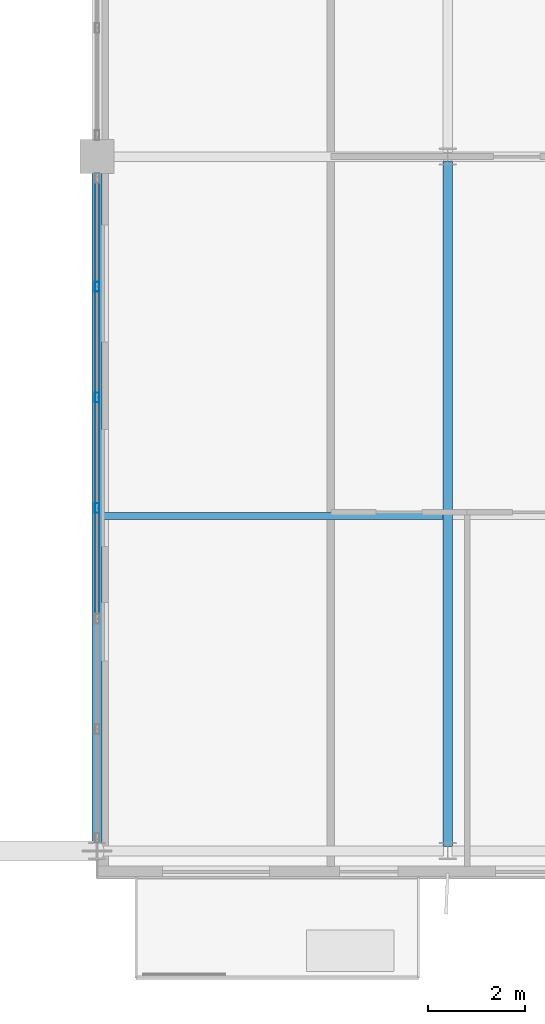
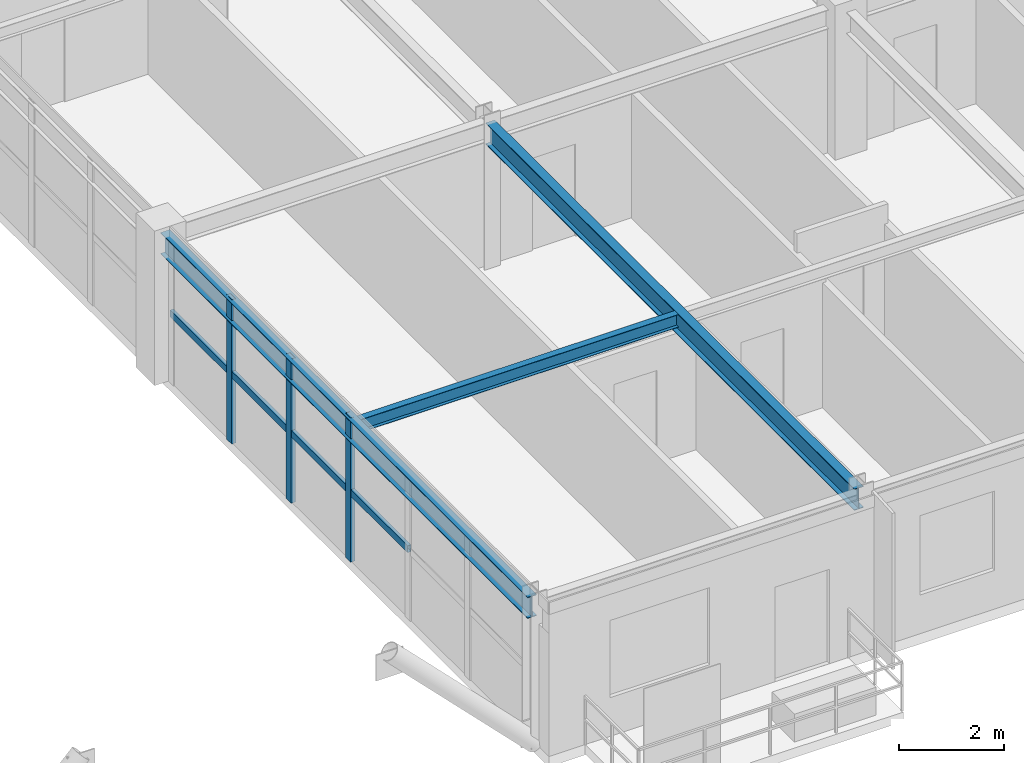
# One storey, part 11 of 34: 7 members, 3 beams, 1 element without a shape of its own.
"""IFC4 building model written with IfcOpenShell, lengths in metres."""

from ifc_helpers import new_model, si_unit, direction, frame, origin, origin_2d, place, context, subcontext, project, spatial, hollow_rectangle, i_section, extrude, source, transform, mapped, material, material_profile, profile_set, type_object, element, aggregate, save


model = new_model("IFC4")

# Units and contexts
model_context = context("Model", 3, precision=1e-05, world=origin(), true_north=direction((0.0, 1.0)))
body_context = subcontext(model_context, "Body", "Model", "MODEL_VIEW")
ifc_project = project(units=[si_unit("LENGTHUNIT", "METRE"), si_unit("AREAUNIT", "SQUARE_METRE"), si_unit("VOLUMEUNIT", "CUBIC_METRE"), si_unit("PLANEANGLEUNIT", "RADIAN"), si_unit("MASSUNIT", "GRAM", prefix="KILO")], contexts=[model_context])

# Site, building, storey
site_placement = place(None, origin())
site = spatial("IfcSite", under=ifc_project, at=site_placement, CompositionType="ELEMENT")
building_placement = place(site_placement, origin())
building = spatial("IfcBuilding", under=site, at=building_placement, Name="Trelvane Seafront Commons", CompositionType="ELEMENT")
storey_placement = place(building_placement, frame((0.0, 0.0, 197.699951171875)))
storey = spatial("IfcBuildingStorey", under=building, at=storey_placement, Name="L51", CompositionType="ELEMENT", Elevation=197.699951171875)

# Beams
ifc_material_1 = material(Name="Steel SM355 (S355)", Category="steel")
ifc_material_profile_1 = material_profile(ifc_material_1, i_section(OverallWidth=0.199951171875, OverallDepth=0.5, WebThickness=0.010009765625, FlangeThickness=0.01611328125, at=origin_2d()), Name="H-500x200x10x16")
ifc_profile_set_1 = profile_set([ifc_material_profile_1], Name="Steel SM355 (S355)")
beam_type_1 = type_object("IfcBeamType", Name="STR-BM-H500", PredefinedType="BEAM", material=ifc_profile_set_1)
shared_shape_1 = source(origin(), body_context, "Body", "SweptSolid", [
    extrude(i_section(OverallWidth=0.199951171875, OverallDepth=0.5, WebThickness=0.010009765625, FlangeThickness=0.01611328125, at=origin_2d()), origin(), (0.0, 0.0, 1.0), 14.074951171875),
])
beam_1_placement = place(storey_placement, frame((51.0, 4.03759765625, 3.110107421875), z_axis=(0.0, 1.0, 0.0), x_axis=(-1.0, 0.0, 0.0)))
element("IfcBeam", 1, at=beam_1_placement, inside=storey, type_object=beam_type_1, Name="L51 Primary Girder G-44", PredefinedType="BEAM", context=body_context, shape_type="MappedRepresentation", body=[
    mapped(shared_shape_1, transform((0.0, 0.0, 0.0), x_axis=(1.0, 0.0, 0.0), y_axis=(0.0, 1.0, 0.0), z_axis=(0.0, 0.0, 1.0), scale=1.0)),
])
shared_shape_2 = source(origin(), body_context, "Body", "SweptSolid", [
    extrude(i_section(OverallWidth=0.199951171875, OverallDepth=0.5, WebThickness=0.010009765625, FlangeThickness=0.01611328125, at=origin_2d()), origin(), (0.0, 0.0, 1.0), 14.012451171875),
])
beam_2_placement = place(storey_placement, frame((43.800048828125, 4.03759765625, 3.110107421875), z_axis=(0.0, 1.0, 0.0), x_axis=(-1.0, 0.0, 0.0)))
element("IfcBeam", 2, at=beam_2_placement, inside=storey, type_object=beam_type_1, Name="L51 Primary Girder G-41", PredefinedType="BEAM", context=body_context, shape_type="MappedRepresentation", body=[
    mapped(shared_shape_2, transform((0.0, 0.0, 0.0), x_axis=(1.0, 0.0, 0.0), y_axis=(0.0, 1.0, 0.0), z_axis=(0.0, 0.0, 1.0), scale=1.0)),
])
ifc_material_profile_2 = material_profile(ifc_material_1, i_section(OverallWidth=0.14990234375, OverallDepth=0.300048828125, WebThickness=0.006591796875, FlangeThickness=0.009033203125, at=origin_2d()), Name="H-300x150x6.5x9")
ifc_profile_set_2 = profile_set([ifc_material_profile_2], Name="Steel SM355 (S355)")
beam_type_2 = type_object("IfcBeamType", Name="STR-JST-H300", PredefinedType="JOIST", material=ifc_profile_set_2)
shared_shape_3 = source(origin(), body_context, "Body", "SweptSolid", [
    extrude(i_section(OverallWidth=0.14990234375, OverallDepth=0.300048828125, WebThickness=0.006591796875, FlangeThickness=0.009033203125, at=origin_2d()), origin(), (0.0, 0.0, 1.0), 7.0),
])
beam_3_placement = place(storey_placement, frame((43.89990234375, 10.824951171875, 3.2099609375), z_axis=(1.0, 0.0, 0.0), x_axis=(0.0, 1.0, 0.0)))
element("IfcBeam", 3, at=beam_3_placement, inside=storey, type_object=beam_type_2, Name="L51 Secondary Floor Joist B-57", PredefinedType="JOIST", context=body_context, shape_type="MappedRepresentation", body=[
    mapped(shared_shape_3, transform((0.0, 0.0, 0.0), x_axis=(1.0, 0.0, 0.0), y_axis=(0.0, 1.0, 0.0), z_axis=(0.0, 0.0, 1.0), scale=1.0)),
])

# Curtain wall, members
ifc_material_2 = material(Name="Anodised pale-silver aluminium", Category="aluminium")
curtain_wall_type = type_object("IfcCurtainWallType", Name="ARCH-CW3-PORTAL", PredefinedType="NOTDEFINED", material=ifc_material_2)
curtain_wall_placement = place(storey_placement, origin())
curtain_wall = element("IfcCurtainWall", 4, at=curtain_wall_placement, inside=storey, type_object=curtain_wall_type, Name="CW-L51-VP-0089", PredefinedType="NOTDEFINED")
ifc_material_profile_3 = material_profile(ifc_material_2, hollow_rectangle(XDim=0.080078125, YDim=0.159912109375, WallThickness=0.00439453125, at=origin_2d()), Name="TRAN-80x160x4.5")
ifc_profile_set_3 = profile_set([ifc_material_profile_3], Name="Anodised pale-silver aluminium")
member_type_1 = type_object("IfcMemberType", Name="ARCH-CW-TRAN-160", PredefinedType="USERDEFINED", material=ifc_profile_set_3)
shared_shape_4 = source(origin(), body_context, "Body", "SweptSolid", [
    extrude(hollow_rectangle(XDim=0.080078125, YDim=0.159912109375, WallThickness=0.00439453125, at=origin_2d()), origin(), (0.0, 0.0, 1.0), 2.246826171875),
])
member_1_placement = place(storey_placement, frame((43.800048828125, 17.7880859375, 1.613037109375), z_axis=(0.0, -1.0, 0.0), x_axis=(1.0, 0.0, 0.0)))
member_1 = element("IfcMember", 5, at=member_1_placement, type_object=member_type_1, Name="CW-L51-VP-0089-T00", ObjectType="TRANSOM", PredefinedType="USERDEFINED", context=body_context, shape_type="MappedRepresentation", body=[
    mapped(shared_shape_4, transform((0.0, 0.0, 0.0), x_axis=(1.0, 0.0, 0.0), y_axis=(0.0, 1.0, 0.0), z_axis=(0.0, 0.0, 1.0), scale=1.0)),
])
member_2_placement = place(storey_placement, frame((43.800048828125, 15.51708984375, 1.613037109375), z_axis=(0.0, -1.0, 0.0), x_axis=(1.0, 0.0, 0.0)))
member_2 = element("IfcMember", 6, at=member_2_placement, type_object=member_type_1, Name="CW-L51-VP-0089-T01", ObjectType="TRANSOM", PredefinedType="USERDEFINED", context=body_context, shape_type="MappedRepresentation", body=[
    mapped(shared_shape_4, transform((0.0, 0.0, 0.0), x_axis=(1.0, 0.0, 0.0), y_axis=(0.0, 1.0, 0.0), z_axis=(0.0, 0.0, 1.0), scale=1.0)),
])
member_3_placement = place(storey_placement, frame((43.800048828125, 13.246337890625, 1.613037109375), z_axis=(0.0, -1.0, 0.0), x_axis=(1.0, 0.0, 0.0)))
member_3 = element("IfcMember", 7, at=member_3_placement, type_object=member_type_1, Name="CW-L51-VP-0089-T02", ObjectType="TRANSOM", PredefinedType="USERDEFINED", context=body_context, shape_type="MappedRepresentation", body=[
    mapped(shared_shape_4, transform((0.0, 0.0, 0.0), x_axis=(1.0, 0.0, 0.0), y_axis=(0.0, 1.0, 0.0), z_axis=(0.0, 0.0, 1.0), scale=1.0)),
])
member_4_placement = place(storey_placement, frame((43.800048828125, 10.9755859375, 1.613037109375), z_axis=(0.0, -1.0, 0.0), x_axis=(1.0, 0.0, 0.0)))
member_4 = element("IfcMember", 8, at=member_4_placement, type_object=member_type_1, Name="CW-L51-VP-0089-T03", ObjectType="TRANSOM", PredefinedType="USERDEFINED", context=body_context, shape_type="MappedRepresentation", body=[
    mapped(shared_shape_4, transform((0.0, 0.0, 0.0), x_axis=(1.0, 0.0, 0.0), y_axis=(0.0, 1.0, 0.0), z_axis=(0.0, 0.0, 1.0), scale=1.0)),
])
ifc_material_profile_4 = material_profile(ifc_material_2, hollow_rectangle(XDim=0.090087890625, YDim=0.199951171875, WallThickness=0.0048828125, at=origin_2d()), Name="MULL-90x200x5")
ifc_profile_set_4 = profile_set([ifc_material_profile_4], Name="Anodised pale-silver aluminium")
member_type_2 = type_object("IfcMemberType", Name="ARCH-CW-MULL-200", PredefinedType="MULLION", material=ifc_profile_set_4)
shared_shape_5 = source(origin(), body_context, "Body", "SweptSolid", [
    extrude(hollow_rectangle(XDim=0.090087890625, YDim=0.199951171875, WallThickness=0.0048828125, at=origin_2d()), origin(), (0.0, 0.0, 1.0), 3.360107421875),
])
member_5_placement = place(storey_placement, frame((43.800048828125, 15.529296875, 0.0), z_axis=(0.0, 0.0, 1.0), x_axis=(1.0, 0.0, 0.0)))
member_5 = element("IfcMember", 9, at=member_5_placement, type_object=member_type_2, Name="CW-L51-VP-0089-M01", PredefinedType="MULLION", context=body_context, shape_type="MappedRepresentation", body=[
    mapped(shared_shape_5, transform((0.0, 0.0, 0.0), x_axis=(1.0, 0.0, 0.0), y_axis=(0.0, 1.0, 0.0), z_axis=(0.0, 0.0, 1.0), scale=1.0)),
])
member_6_placement = place(storey_placement, frame((43.800048828125, 13.25830078125, 0.0), z_axis=(0.0, 0.0, 1.0), x_axis=(1.0, 0.0, 0.0)))
member_6 = element("IfcMember", 10, at=member_6_placement, type_object=member_type_2, Name="CW-L51-VP-0089-M02", PredefinedType="MULLION", context=body_context, shape_type="MappedRepresentation", body=[
    mapped(shared_shape_5, transform((0.0, 0.0, 0.0), x_axis=(1.0, 0.0, 0.0), y_axis=(0.0, 1.0, 0.0), z_axis=(0.0, 0.0, 1.0), scale=1.0)),
])
member_7_placement = place(storey_placement, frame((43.800048828125, 10.987548828125, 0.0), z_axis=(0.0, 0.0, 1.0), x_axis=(1.0, 0.0, 0.0)))
member_7 = element("IfcMember", 11, at=member_7_placement, type_object=member_type_2, Name="CW-L51-VP-0089-M03", PredefinedType="MULLION", context=body_context, shape_type="MappedRepresentation", body=[
    mapped(shared_shape_5, transform((0.0, 0.0, 0.0), x_axis=(1.0, 0.0, 0.0), y_axis=(0.0, 1.0, 0.0), z_axis=(0.0, 0.0, 1.0), scale=1.0)),
])
aggregate(curtain_wall, [member_5, member_6, member_7, member_1, member_2, member_3, member_4])

save(model, "model.ifc")
